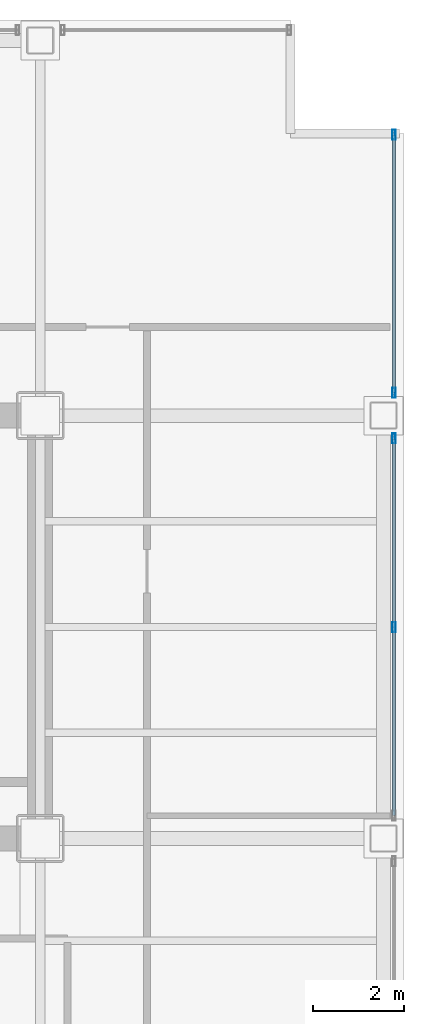
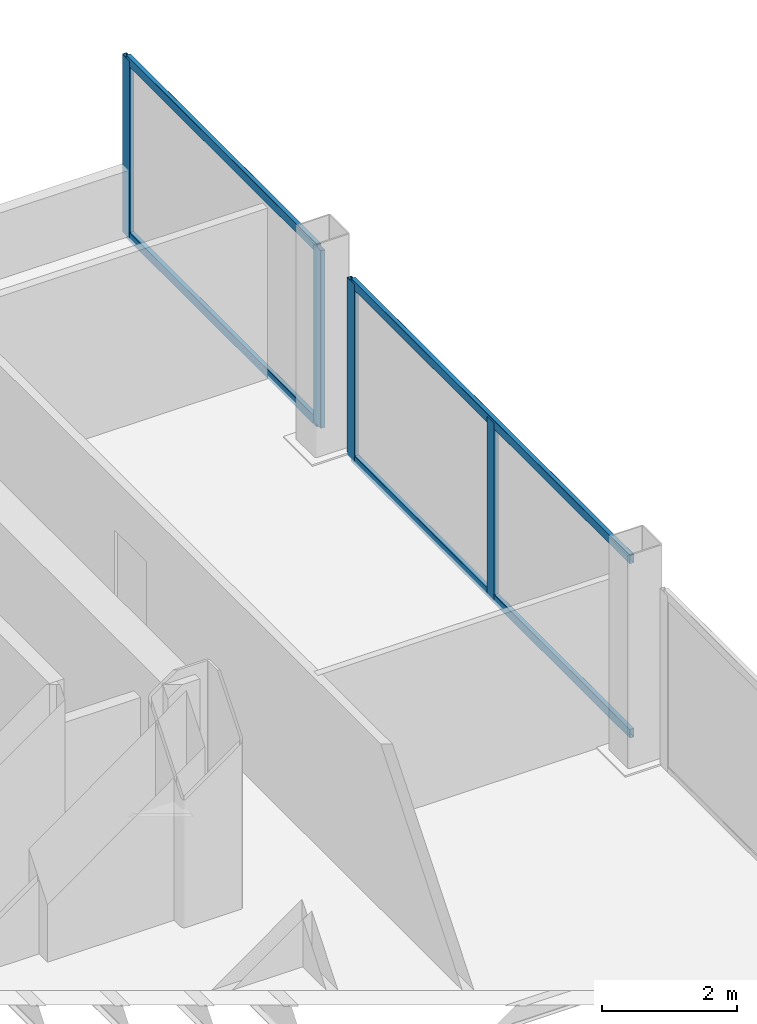
# One storey, part 13 of 21: 8 members, 2 elements without a shape of their own.
"""IFC4 building model written with IfcOpenShell, lengths in metres."""

import ifcopenshell
import ifcopenshell.guid

model = None  # the IFC model being written
_history = None  # IfcOwnerHistory: only IFC2X3 demands one
_inside = {}  # id of a spatial element -> (the spatial element, [elements in it])
_under = {}  # id of a project, library or spatial element -> (it, [spatial elements below it])
_declared = {}  # id of a project -> (the project, [libraries it declares])
_typed = {}  # id of a type object -> (the type object, [elements of that type])
_made_of = {}  # id of a material, layer set ... -> (it, [elements and type objects made of it])


def new_model(schema):
    """Start an empty IFC model of exactly this schema.

    Asked for "IFC4X3", IfcOpenShell would pick the latest addendum, in which some entities
    have other attributes; the version numbers below select the first issue.
    IFC2X3 requires an IfcOwnerHistory on every rooted entity: one is made here for all.
    """
    global model, _history
    if schema == "IFC4X3":
        model = ifcopenshell.file(schema_version=(4, 3, 0, 0))
    else:
        model = ifcopenshell.file(schema=schema)
    _inside.clear()
    _under.clear()
    _declared.clear()
    _typed.clear()
    _made_of.clear()
    _history = None
    if model.schema == "IFC2X3":
        org = make("IfcOrganization", Name="unknown")
        user = make(
            "IfcPersonAndOrganization",
            ThePerson=make("IfcPerson", FamilyName="unknown"),
            TheOrganization=org,
        )
        app = make(
            "IfcApplication",
            ApplicationDeveloper=org,
            Version="unknown",
            ApplicationFullName="unknown",
            ApplicationIdentifier="unknown",
        )
        _history = make(
            "IfcOwnerHistory",
            OwningUser=user,
            OwningApplication=app,
            ChangeAction="ADDED",
            CreationDate=0,
        )
    return model


def make(cls, **values):
    """One entity of the class cls with the attributes given. An attribute that is None is left unset."""
    return model.create_entity(
        cls, **{name: value for name, value in values.items() if value is not None}
    )


def rooted(cls, **values):
    """An entity with a GlobalId (a new one), such as an element, a storey or a relation."""
    return make(cls, GlobalId=ifcopenshell.guid.new(), OwnerHistory=_history, **values)


def si_unit(unit_type, name, prefix=None):
    """IfcSIUnit, for example si_unit("LENGTHUNIT", "METRE", prefix="MILLI")."""
    return make("IfcSIUnit", UnitType=unit_type, Prefix=prefix, Name=name)


def assignment(units):
    """IfcUnitAssignment: the units of a project."""
    return None if units is None else make("IfcUnitAssignment", Units=units)


def point(xyz):
    """IfcCartesianPoint."""
    return None if xyz is None else make("IfcCartesianPoint", Coordinates=xyz)


def direction(xyz):
    """IfcDirection."""
    return None if xyz is None else make("IfcDirection", DirectionRatios=xyz)


def frame(location, z_axis=None, x_axis=None):
    """IfcAxis2Placement3D, a coordinate frame: its origin and axes. An axis left out is left unset."""
    return make(
        "IfcAxis2Placement3D",
        Location=point(location),
        Axis=direction(z_axis),
        RefDirection=direction(x_axis),
    )


def frame_2d(location, x_axis=None):
    """IfcAxis2Placement2D, a coordinate frame in the plane: its origin and x axis."""
    return make(
        "IfcAxis2Placement2D", Location=point(location), RefDirection=direction(x_axis)
    )


def origin():
    """The frame at (0, 0, 0) with its axes left unset."""
    return frame((0.0, 0.0, 0.0))


def origin_2d():
    """The frame at (0, 0) in the plane with its x axis left unset."""
    return frame_2d((0.0, 0.0))


def place(relative_to, where):
    """IfcLocalPlacement: puts the frame where relative to a parent placement (None: the world)."""
    return make(
        "IfcLocalPlacement", PlacementRelTo=relative_to, RelativePlacement=where
    )


def context(
    kind, dimensions, precision=None, world=None, true_north=None, identifier=None
):
    """IfcGeometricRepresentationContext, for example the 3D "Model" context."""
    return make(
        "IfcGeometricRepresentationContext",
        ContextIdentifier=identifier,
        ContextType=kind,
        CoordinateSpaceDimension=dimensions,
        Precision=precision,
        WorldCoordinateSystem=world,
        TrueNorth=true_north,
    )


def subcontext(parent, identifier, kind, view, scale=None):
    """IfcGeometricRepresentationSubContext, for example "Body" below "Model"."""
    return make(
        "IfcGeometricRepresentationSubContext",
        ContextIdentifier=identifier,
        ContextType=kind,
        ParentContext=parent,
        TargetScale=scale,
        TargetView=view,
    )


def project(units=None, contexts=None):
    """IfcProject with its units and contexts."""
    return rooted(
        "IfcProject",
        Name="project",
        RepresentationContexts=contexts,
        UnitsInContext=assignment(units),
    )


def spatial(cls, under=None, at=None, **own):
    """A site, building, storey or space (cls), placed at a placement, below another one or the project."""
    s = rooted(cls, ObjectPlacement=at, **own)
    if under is not None:
        _under.setdefault(under.id(), (under, []))[1].append(s)
    return s


def profile(cls, at=None, kind="AREA", **sizes):
    """A parametric profile (cls). Its sizes go by their IFC names, for example OverallWidth=200.0."""
    return make(cls, ProfileType=kind, Position=at, **sizes)


def hollow_rectangle(**sizes):
    """IfcRectangleHollowProfileDef."""
    return profile("IfcRectangleHollowProfileDef", **sizes)


def extrude(swept, where, along, depth):
    """IfcExtrudedAreaSolid: the profile swept, set in the frame where, extruded along a direction by depth."""
    return make(
        "IfcExtrudedAreaSolid",
        SweptArea=swept,
        Position=where,
        ExtrudedDirection=direction(along),
        Depth=depth,
    )


def shape(context_of_items, identifier, shape_type, items):
    """IfcShapeRepresentation: the items that make up one representation, for example the "Body"."""
    return make(
        "IfcShapeRepresentation",
        ContextOfItems=context_of_items,
        RepresentationIdentifier=identifier,
        RepresentationType=shape_type,
        Items=items,
    )


def material(Name=None, Category=None):
    """IfcMaterial."""
    return make("IfcMaterial", Name=Name, Category=Category)


def material_profile(
    of_material, cross_section, Name=None, Category=None, Priority=None
):
    """IfcMaterialProfile: a cross section and its material."""
    return make(
        "IfcMaterialProfile",
        Name=Name,
        Material=of_material,
        Profile=cross_section,
        Priority=Priority,
        Category=Category,
    )


def profile_set(profiles, Name=None, composite=None):
    """IfcMaterialProfileSet."""
    return make(
        "IfcMaterialProfileSet",
        Name=Name,
        MaterialProfiles=profiles,
        CompositeProfile=composite,
    )


def made_of(thing, what):
    """Note that an element or type object is made of a material, layer set ...; save() writes the relation."""
    if what is not None:
        _made_of.setdefault(what.id(), (what, []))[1].append(thing)
    return thing


def type_object(cls, material=None, **own):
    """A type object (cls), such as IfcWallType, which elements share."""
    return made_of(rooted(cls, **own), material)


def element(
    cls,
    number,
    at=None,
    inside=None,
    cuts=None,
    type_object=None,
    material=None,
    context=None,
    identifier="Body",
    shape_type=None,
    held_by="IfcProductDefinitionShape",
    body=None,
    shapes=None,
    **own,
):
    """One element of the class cls, such as IfcWall. Its Tag is "e" and its number.

    at: its placement. inside: the storey or other place that contains it. cuts: it is an
    opening in that element (IfcRelVoidsElement). A single representation is given by context,
    identifier, shape_type and body (its items); several are given by shapes. held_by: the class
    of the entity that holds the representations. save() writes the other relations.
    """
    e = rooted(cls, Tag="e%d" % number, ObjectPlacement=at, **own)
    if body is not None:
        shapes = [shape(context, identifier, shape_type, body)]
    if shapes is not None:
        e.Representation = make(held_by, Representations=shapes)
    if inside is not None:
        _inside.setdefault(inside.id(), (inside, []))[1].append(e)
    if cuts is not None:
        rooted(
            "IfcRelVoidsElement", RelatingBuildingElement=cuts, RelatedOpeningElement=e
        )
    if type_object is not None:
        _typed.setdefault(type_object.id(), (type_object, []))[1].append(e)
    return made_of(e, material)


def aggregate(whole, parts):
    """IfcRelAggregates: a whole, such as a stair, and the parts it consists of."""
    return rooted("IfcRelAggregates", RelatingObject=whole, RelatedObjects=parts)


def save(model, path):
    """Write the relations noted so far, then the file.

    IfcRelAggregates (storeys below a building ...), IfcRelContainedInSpatialStructure (elements
    in a storey), IfcRelDefinesByType, IfcRelAssociatesMaterial and IfcRelDeclares: one each for
    every whole, place, type object, material and project.
    """
    for whole, parts in _under.values():
        aggregate(whole, parts)
    for where, things in _inside.values():
        rooted(
            "IfcRelContainedInSpatialStructure",
            RelatedElements=things,
            RelatingStructure=where,
        )
    for kind, things in _typed.values():
        rooted("IfcRelDefinesByType", RelatedObjects=things, RelatingType=kind)
    for what, things in _made_of.values():
        rooted("IfcRelAssociatesMaterial", RelatedObjects=things, RelatingMaterial=what)
    for by, libraries in _declared.values():
        rooted("IfcRelDeclares", RelatingContext=by, RelatedDefinitions=libraries)
    model.write(path)


model = new_model("IFC4")

# Units and contexts
model_context = context("Model", 3, precision=1e-05, world=origin(), true_north=direction((0.0, 1.0)))
body_context = subcontext(model_context, "Body", "Model", "MODEL_VIEW")
ifc_project = project(units=[si_unit("LENGTHUNIT", "METRE"), si_unit("AREAUNIT", "SQUARE_METRE"), si_unit("VOLUMEUNIT", "CUBIC_METRE"), si_unit("PLANEANGLEUNIT", "RADIAN"), si_unit("MASSUNIT", "GRAM", prefix="KILO")], contexts=[model_context])

# Site, building, storey
site_placement = place(None, origin())
site = spatial("IfcSite", under=ifc_project, at=site_placement, CompositionType="ELEMENT")
building_placement = place(site_placement, origin())
building = spatial("IfcBuilding", under=site, at=building_placement, Name="Noeulbin Bourse Tower", CompositionType="ELEMENT")
storey_placement = place(building_placement, frame((0.0, 0.0, 34.300048828125)))
storey = spatial("IfcBuildingStorey", under=building, at=storey_placement, Name="L08", CompositionType="ELEMENT", Elevation=34.300048828125)

# Curtain wall, members
ifc_material_1 = material(Name="Dark Solar-Control Double Glazing", Category="glass")
curtain_wall_type = type_object("IfcCurtainWallType", Name="CW-SYS-2", PredefinedType="NOTDEFINED", material=ifc_material_1)
curtain_wall_1_placement = place(storey_placement, origin())
curtain_wall_1 = element("IfcCurtainWall", 1, at=curtain_wall_1_placement, inside=storey, type_object=curtain_wall_type, Name="Unitised Curtain Wall CW-L08-E-S3", PredefinedType="NOTDEFINED")
ifc_material_2 = material(Name="Anodised Aluminium 6063-T6", Category="aluminium")
ifc_material_profile_1 = material_profile(ifc_material_2, hollow_rectangle(XDim=0.074951171875, YDim=0.219970703125, WallThickness=0.0048828125, InnerFilletRadius=0.00244140625, OuterFilletRadius=0.0048828125, at=origin_2d()), Name="ALU-MULL-75x220x5", Category="LoadBearing")
ifc_profile_set_1 = profile_set([ifc_material_profile_1], Name="Anodised Aluminium 6063-T6")
member_type_1 = type_object("IfcMemberType", Name="CW-SYS-2-MUL", PredefinedType="MULLION", material=ifc_profile_set_1)
member_1_placement = place(storey_placement, frame((51.780029296875, 33.64990234375, -0.02001953125), z_axis=(0.0, 0.0, 1.0), x_axis=(1.0, 0.0, 0.0)))
member_1 = element("IfcMember", 2, at=member_1_placement, type_object=member_type_1, Name="Curtain Wall Mullion CW-L08-E-S3-M01", PredefinedType="MULLION", context=body_context, shape_type="SweptSolid", body=[
    extrude(hollow_rectangle(XDim=0.074951171875, YDim=0.219970703125, WallThickness=0.0048828125, InnerFilletRadius=0.00244140625, OuterFilletRadius=0.0048828125, at=origin_2d()), origin(), (0.0, 0.0, 1.0), 3.219970703125),
])
member_2_placement = place(storey_placement, frame((51.780029296875, 37.800048828125, -0.02001953125), z_axis=(0.0, 0.0, 1.0), x_axis=(1.0, 0.0, 0.0)))
member_2 = element("IfcMember", 3, at=member_2_placement, type_object=member_type_1, Name="Curtain Wall Mullion CW-L08-E-S3-M02", PredefinedType="MULLION", context=body_context, shape_type="SweptSolid", body=[
    extrude(hollow_rectangle(XDim=0.074951171875, YDim=0.219970703125, WallThickness=0.0048828125, InnerFilletRadius=0.00244140625, OuterFilletRadius=0.0048828125, at=origin_2d()), origin(), (0.0, 0.0, 1.0), 3.219970703125),
])

curtain_wall_2_placement = place(storey_placement, origin())
curtain_wall_2 = element("IfcCurtainWall", 4, at=curtain_wall_2_placement, inside=storey, type_object=curtain_wall_type, Name="Unitised Curtain Wall CW-L08-E-S4", PredefinedType="NOTDEFINED")
member_3_placement = place(storey_placement, frame((51.780029296875, 38.800048828125, -0.02001953125), z_axis=(0.0, 0.0, 1.0), x_axis=(1.0, 0.0, 0.0)))
member_3 = element("IfcMember", 5, at=member_3_placement, type_object=member_type_1, Name="Curtain Wall Mullion CW-L08-E-S4-M00", PredefinedType="MULLION", context=body_context, shape_type="SweptSolid", body=[
    extrude(hollow_rectangle(XDim=0.074951171875, YDim=0.219970703125, WallThickness=0.0048828125, InnerFilletRadius=0.00244140625, OuterFilletRadius=0.0048828125, at=origin_2d()), origin(), (0.0, 0.0, 1.0), 3.219970703125),
])
member_4_placement = place(storey_placement, frame((51.780029296875, 44.47998046875, -0.02001953125), z_axis=(0.0, 0.0, 1.0), x_axis=(1.0, 0.0, 0.0)))
member_4 = element("IfcMember", 6, at=member_4_placement, type_object=member_type_1, Name="Curtain Wall Mullion CW-L08-E-S4-M01", PredefinedType="MULLION", context=body_context, shape_type="SweptSolid", body=[
    extrude(hollow_rectangle(XDim=0.074951171875, YDim=0.219970703125, WallThickness=0.0048828125, InnerFilletRadius=0.00244140625, OuterFilletRadius=0.0048828125, at=origin_2d()), origin(), (0.0, 0.0, 1.0), 3.219970703125),
])

# Member
ifc_material_profile_2 = material_profile(ifc_material_2, hollow_rectangle(XDim=0.074951171875, YDim=0.159912109375, WallThickness=0.0048828125, InnerFilletRadius=0.00244140625, OuterFilletRadius=0.0048828125, at=origin_2d()), Name="ALU-TRAN-75x160x5", Category="LoadBearing")
ifc_profile_set_2 = profile_set([ifc_material_profile_2], Name="Anodised Aluminium 6063-T6")
member_type_2 = type_object("IfcMemberType", Name="CW-SYS-2-TRN", PredefinedType="USERDEFINED", material=ifc_profile_set_2)
member_5_placement = place(storey_placement, frame((51.780029296875, 29.510009765625, 0.010009765625), z_axis=(0.0, 1.0, 0.0), x_axis=(-1.0, 0.0, 0.0)))
member_5 = element("IfcMember", 7, at=member_5_placement, type_object=member_type_2, Name="Curtain Wall Transom CW-L08-E-S3-T00", ObjectType="TRANSOM", PredefinedType="USERDEFINED", context=body_context, shape_type="SweptSolid", body=[
    extrude(hollow_rectangle(XDim=0.074951171875, YDim=0.159912109375, WallThickness=0.0048828125, InnerFilletRadius=0.00244140625, OuterFilletRadius=0.0048828125, at=origin_2d()), origin(), (0.0, 0.0, 1.0), 8.280029296875),
])

member_6_placement = place(storey_placement, frame((51.780029296875, 29.510009765625, 3.169921875), z_axis=(0.0, 1.0, 0.0), x_axis=(-1.0, 0.0, 0.0)))
member_6 = element("IfcMember", 8, at=member_6_placement, type_object=member_type_2, Name="Curtain Wall Transom CW-L08-E-S3-T01", ObjectType="TRANSOM", PredefinedType="USERDEFINED", context=body_context, shape_type="SweptSolid", body=[
    extrude(hollow_rectangle(XDim=0.074951171875, YDim=0.159912109375, WallThickness=0.0048828125, InnerFilletRadius=0.00244140625, OuterFilletRadius=0.0048828125, at=origin_2d()), origin(), (0.0, 0.0, 1.0), 8.280029296875),
])

aggregate(curtain_wall_1, [member_1, member_2, member_5, member_6])

member_7_placement = place(storey_placement, frame((51.780029296875, 38.81005859375, 0.010009765625), z_axis=(0.0, 1.0, 0.0), x_axis=(-1.0, 0.0, 0.0)))
member_7 = element("IfcMember", 9, at=member_7_placement, type_object=member_type_2, Name="Curtain Wall Transom CW-L08-E-S4-T00", ObjectType="TRANSOM", PredefinedType="USERDEFINED", context=body_context, shape_type="SweptSolid", body=[
    extrude(hollow_rectangle(XDim=0.074951171875, YDim=0.159912109375, WallThickness=0.0048828125, InnerFilletRadius=0.00244140625, OuterFilletRadius=0.0048828125, at=origin_2d()), origin(), (0.0, 0.0, 1.0), 5.659912109375),
])

member_8_placement = place(storey_placement, frame((51.780029296875, 38.81005859375, 3.169921875), z_axis=(0.0, 1.0, 0.0), x_axis=(-1.0, 0.0, 0.0)))
member_8 = element("IfcMember", 10, at=member_8_placement, type_object=member_type_2, Name="Curtain Wall Transom CW-L08-E-S4-T01", ObjectType="TRANSOM", PredefinedType="USERDEFINED", context=body_context, shape_type="SweptSolid", body=[
    extrude(hollow_rectangle(XDim=0.074951171875, YDim=0.159912109375, WallThickness=0.0048828125, InnerFilletRadius=0.00244140625, OuterFilletRadius=0.0048828125, at=origin_2d()), origin(), (0.0, 0.0, 1.0), 5.659912109375),
])

aggregate(curtain_wall_2, [member_3, member_4, member_7, member_8])

save(model, "model.ifc")
